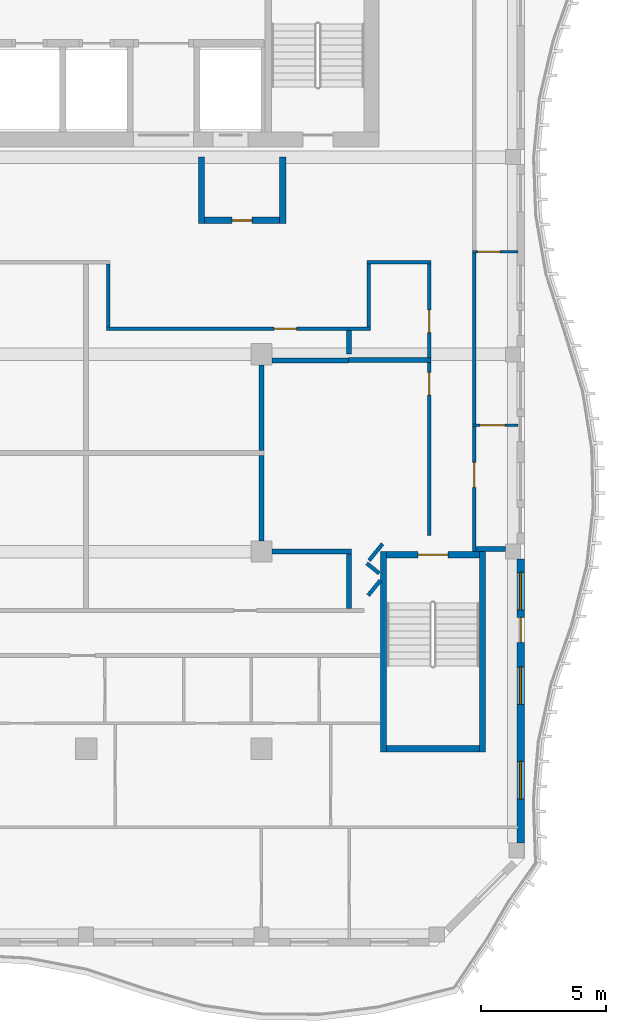
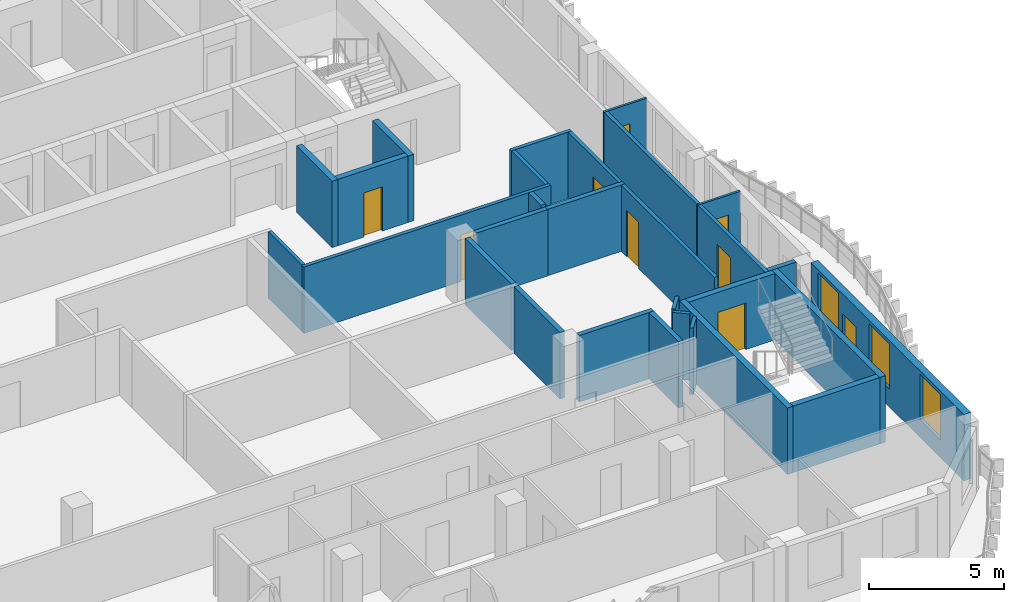
# One storey, part 5 of 14: 29 walls, 9 doors, 3 windows, 12 openings.
"""IFC4 building model written with IfcOpenShell, lengths in metres."""

from ifc_helpers import new_model, si_unit, direction, frame, frame_2d, origin, place, context, subcontext, project, spatial, rectangle, extrude, source, transform, mapped, material, layer, layer_set, type_object, element, fill, save


model = new_model("IFC4")

# Units and contexts
model_context = context("Model", 3, precision=1e-05, world=origin(), true_north=direction((0.0, 1.0)))
body_context = subcontext(model_context, "Body", "Model", "MODEL_VIEW")
ifc_project = project(units=[si_unit("LENGTHUNIT", "METRE"), si_unit("AREAUNIT", "SQUARE_METRE"), si_unit("VOLUMEUNIT", "CUBIC_METRE"), si_unit("PLANEANGLEUNIT", "RADIAN"), si_unit("MASSUNIT", "GRAM", prefix="KILO")], contexts=[model_context])

# Site, building, storey
site_placement = place(None, origin())
site = spatial("IfcSite", under=ifc_project, at=site_placement, CompositionType="ELEMENT")
building_placement = place(site_placement, origin())
building = spatial("IfcBuilding", under=site, at=building_placement, Name="Kilnfold Tower and Market Hall", CompositionType="ELEMENT")
storey_placement = place(building_placement, frame((0.0, 0.0, 315.39990234375)))
storey = spatial("IfcBuildingStorey", under=building, at=storey_placement, Name="L79", CompositionType="ELEMENT", Elevation=315.39990234375)

# Wall, opening, door
ifc_material_1 = material(Name="Gypsum board on steel studs", Category="steel")
ifc_layer_1 = layer(ifc_material_1, 0.14990234375)
ifc_layer_set_1 = layer_set([ifc_layer_1], Name="Gypsum board on steel studs")
wall_type_1 = type_object("IfcWallType", Name="WALL CORRIDOR 150", PredefinedType="PARTITIONING", material=ifc_layer_set_1)
wall_1_placement = place(storey_placement, frame((21.5, -7.75, 0.0), z_axis=(0.0, 0.0, 1.0), x_axis=(0.0, 1.0, 0.0)))
wall_1 = element("IfcWall", 1, at=wall_1_placement, inside=storey, type_object=wall_type_1, Name="Partition LY47.5", PredefinedType="PARTITIONING", context=body_context, shape_type="SweptSolid", body=[
    extrude(rectangle(XDim=4.9990234375, YDim=0.14990234375, at=frame_2d((2.49951171875, 0.0))), origin(), (0.0, 0.0, 1.0), 3.0),
])
opening_1_placement = place(wall_1_placement, frame((2.56494140625, 0.0, 0.0)))
opening_1 = element("IfcOpeningElement", 2, at=opening_1_placement, cuts=wall_1, Name="Opening D1", PredefinedType="OPENING", context=body_context, shape_type="SweptSolid", body=[
    extrude(rectangle(XDim=1.0, YDim=2.10009765625, at=frame_2d((0.5, 1.050048828125))), frame((0.0, 0.0849609375, 0.0), z_axis=(0.0, -1.0, 0.0), x_axis=(1.0, 0.0, 0.0)), (0.0, 0.0, 1.0), 0.169921875),
])
ifc_material_2 = material(Name="Timber veneer door leaf in steel frame", Category="steel")
door_type_1 = type_object("IfcDoorType", Name="DOOR ENTRY 1000 X2100", OperationType="NOTDEFINED", PredefinedType="DOOR", material=ifc_material_2)
door_1_placement = place(opening_1_placement, origin())
door_1 = element("IfcDoor", 3, at=door_1_placement, inside=storey, type_object=door_type_1, Name="Door D1", OperationType="SINGLE_SWING_RIGHT", OverallHeight=2.10009765625, OverallWidth=1.0, PredefinedType="DOOR", context=body_context, shape_type="SweptSolid", body=[
    extrude(rectangle(XDim=1.0, YDim=2.10009765625, at=frame_2d((0.5, 1.050048828125))), frame((0.0, 0.02490234375, 0.0), z_axis=(0.0, -1.0, 0.0), x_axis=(1.0, 0.0, 0.0)), (0.0, 0.0, 1.0), 0.050048828125),
])
fill(opening_1, door_1)

# Wall
wall_2_placement = place(storey_placement, frame((21.5, -2.6708984375, 0.0), z_axis=(0.0, 0.0, 1.0), x_axis=(0.0, 1.0, 0.0)))
element("IfcWall", 4, at=wall_2_placement, inside=storey, type_object=wall_type_1, Name="Partition LY47.6", PredefinedType="PARTITIONING", context=body_context, shape_type="SweptSolid", body=[
    extrude(rectangle(XDim=6.848876953125, YDim=0.14990234375, at=frame_2d((3.42431640625, 0.0))), origin(), (0.0, 0.0, 1.0), 3.0),
])

# Wall, opening, door
wall_3_placement = place(storey_placement, frame((6.804931640625, 1.14990234375, 0.0), z_axis=(0.0, 0.0, 1.0), x_axis=(1.0, 0.0, 0.0)))
wall_3 = element("IfcWall", 5, at=wall_3_placement, inside=storey, type_object=wall_type_1, Name="Partition LY47.17", PredefinedType="PARTITIONING", context=body_context, shape_type="SweptSolid", body=[
    extrude(rectangle(XDim=10.550048828125, YDim=0.14990234375, at=frame_2d((5.27490234375, 0.0))), origin(), (0.0, 0.0, 1.0), 3.0),
])
opening_2_placement = place(wall_3_placement, frame((6.7041015625, 0.0, 0.0)))
opening_2 = element("IfcOpeningElement", 6, at=opening_2_placement, cuts=wall_3, Name="Opening D2", PredefinedType="OPENING", context=body_context, shape_type="SweptSolid", body=[
    extrude(rectangle(XDim=0.89990234375, YDim=2.10009765625, at=frame_2d((0.449951171875, 1.050048828125))), frame((0.0, 0.0849609375, 0.0), z_axis=(0.0, -1.0, 0.0), x_axis=(1.0, 0.0, 0.0)), (0.0, 0.0, 1.0), 0.169921875),
])
ifc_material_3 = material(Name="Timber veneer door leaf in steel frame", Category="steel")
door_type_2 = type_object("IfcDoorType", Name="DOOR ROOM 900 X2100", OperationType="NOTDEFINED", PredefinedType="DOOR", material=ifc_material_3)
door_2_placement = place(opening_2_placement, origin())
door_2 = element("IfcDoor", 7, at=door_2_placement, inside=storey, type_object=door_type_2, Name="Door D2", OperationType="SINGLE_SWING_RIGHT", OverallHeight=2.10009765625, OverallWidth=0.89990234375, PredefinedType="DOOR", context=body_context, shape_type="SweptSolid", body=[
    extrude(rectangle(XDim=0.89990234375, YDim=2.10009765625, at=frame_2d((0.449951171875, 1.050048828125))), frame((0.0, 0.02490234375, 0.0), z_axis=(0.0, -1.0, 0.0), x_axis=(1.0, 0.0, 0.0)), (0.0, 0.0, 1.0), 0.050048828125),
])
fill(opening_2, door_2)

# Walls
wall_4_placement = place(storey_placement, frame((6.8798828125, 3.72509765625, 0.0), z_axis=(0.0, 0.0, 1.0), x_axis=(0.0, -1.0, 0.0)))
element("IfcWall", 8, at=wall_4_placement, inside=storey, type_object=wall_type_1, Name="Partition LY47.18", PredefinedType="PARTITIONING", context=body_context, shape_type="SweptSolid", body=[
    extrude(rectangle(XDim=2.5, YDim=0.14990234375, at=frame_2d((1.25, 0.0))), origin(), (0.0, 0.0, 1.0), 3.0),
])
wall_5_placement = place(storey_placement, frame((17.748046875, -8.902099609375, 0.0), z_axis=(0.0, 0.0, 1.0), x_axis=(-0.630342797145, -0.776316918589, 0.0)))
element("IfcWall", 9, at=wall_5_placement, inside=storey, type_object=wall_type_1, Name="Partition LY47.19", PredefinedType="PARTITIONING", context=body_context, shape_type="SweptSolid", body=[
    extrude(rectangle(XDim=0.772705078125, YDim=0.14990234375, at=frame_2d((0.38623046875, 0.0))), origin(), (0.0, 0.0, 1.0), 3.0),
])
wall_6_placement = place(storey_placement, frame((17.2060546875, -8.218017578125, 0.0), z_axis=(0.0, 0.0, 1.0), x_axis=(0.776102288291, -0.630607039376, 0.0)))
element("IfcWall", 10, at=wall_6_placement, inside=storey, type_object=wall_type_1, Name="Partition LY47.20", PredefinedType="PARTITIONING", context=body_context, shape_type="SweptSolid", body=[
    extrude(rectangle(XDim=0.6376953125, YDim=0.14990234375, at=frame_2d((0.31884765625, 0.0))), origin(), (0.0, 0.0, 1.0), 3.0),
])
wall_7_placement = place(storey_placement, frame((17.8349609375, -7.44189453125, 0.0), z_axis=(0.0, 0.0, 1.0), x_axis=(-0.628859024249, -0.777519342281, 0.0)))
element("IfcWall", 11, at=wall_7_placement, inside=storey, type_object=wall_type_1, Name="Partition LY47.21", PredefinedType="PARTITIONING", context=body_context, shape_type="SweptSolid", body=[
    extrude(rectangle(XDim=0.84912109375, YDim=0.14990234375, at=frame_2d((0.424560546875, 0.0))), origin(), (0.0, 0.0, 1.0), 3.0),
])

# Wall, opening, door
wall_8_placement = place(storey_placement, frame((19.699951171875, -7.10009765625, 0.0), z_axis=(0.0, 0.0, 1.0), x_axis=(0.0, 1.0, 0.0)))
wall_8 = element("IfcWall", 12, at=wall_8_placement, inside=storey, type_object=wall_type_1, Name="Partition LY47.22", PredefinedType="PARTITIONING", context=body_context, shape_type="SweptSolid", body=[
    extrude(rectangle(XDim=6.901123046875, YDim=0.14990234375, at=frame_2d((3.45068359375, 0.0))), origin(), (0.0, 0.0, 1.0), 3.0),
])
opening_3_placement = place(wall_8_placement, frame((5.60107421875, 0.0, 0.0)))
opening_3 = element("IfcOpeningElement", 13, at=opening_3_placement, cuts=wall_8, Name="Opening D2", PredefinedType="OPENING", context=body_context, shape_type="SweptSolid", body=[
    extrude(rectangle(XDim=0.89990234375, YDim=2.10009765625, at=frame_2d((0.449951171875, 1.050048828125))), frame((0.0, 0.0849609375, 0.0), z_axis=(0.0, -1.0, 0.0), x_axis=(1.0, 0.0, 0.0)), (0.0, 0.0, 1.0), 0.169921875),
])
door_3_placement = place(opening_3_placement, origin())
door_3 = element("IfcDoor", 14, at=door_3_placement, inside=storey, type_object=door_type_2, Name="Door D2", OperationType="SINGLE_SWING_LEFT", OverallHeight=2.10009765625, OverallWidth=0.89990234375, PredefinedType="DOOR", context=body_context, shape_type="SweptSolid", body=[
    extrude(rectangle(XDim=0.89990234375, YDim=2.10009765625, at=frame_2d((0.449951171875, 1.050048828125))), frame((0.0, 0.02490234375, 0.0), z_axis=(0.0, -1.0, 0.0), x_axis=(1.0, 0.0, 0.0)), (0.0, 0.0, 1.0), 0.050048828125),
])
fill(opening_3, door_3)

wall_9_placement = place(storey_placement, frame((19.699951171875, -0.028076171875, 0.0), z_axis=(0.0, 0.0, 1.0), x_axis=(0.0, 1.0, 0.0)))
wall_9 = element("IfcWall", 15, at=wall_9_placement, inside=storey, type_object=wall_type_1, Name="Partition LY47.23", PredefinedType="PARTITIONING", context=body_context, shape_type="SweptSolid", body=[
    extrude(rectangle(XDim=3.753173828125, YDim=0.14990234375, at=frame_2d((1.87646484375, 0.0))), origin(), (0.0, 0.0, 1.0), 3.0),
])
opening_4_placement = place(wall_9_placement, frame((1.01806640625, 0.0, 0.0)))
opening_4 = element("IfcOpeningElement", 16, at=opening_4_placement, cuts=wall_9, Name="Opening D2", PredefinedType="OPENING", context=body_context, shape_type="SweptSolid", body=[
    extrude(rectangle(XDim=0.89990234375, YDim=2.10009765625, at=frame_2d((0.449951171875, 1.050048828125))), frame((0.0, 0.0849609375, 0.0), z_axis=(0.0, -1.0, 0.0), x_axis=(1.0, 0.0, 0.0)), (0.0, 0.0, 1.0), 0.169921875),
])
door_4_placement = place(opening_4_placement, origin())
door_4 = element("IfcDoor", 17, at=door_4_placement, inside=storey, type_object=door_type_2, Name="Door D2", OperationType="SINGLE_SWING_LEFT", OverallHeight=2.10009765625, OverallWidth=0.89990234375, PredefinedType="DOOR", context=body_context, shape_type="SweptSolid", body=[
    extrude(rectangle(XDim=0.89990234375, YDim=2.10009765625, at=frame_2d((0.449951171875, 1.050048828125))), frame((0.0, 0.02490234375, 0.0), z_axis=(0.0, -1.0, 0.0), x_axis=(1.0, 0.0, 0.0)), (0.0, 0.0, 1.0), 0.050048828125),
])
fill(opening_4, door_4)

# Walls
wall_10_placement = place(storey_placement, frame((17.205078125, 3.800048828125, 0.0), z_axis=(0.0, 0.0, 1.0), x_axis=(1.0, 0.0, 0.0)))
element("IfcWall", 18, at=wall_10_placement, inside=storey, type_object=wall_type_1, Name="Partition LY47.24", PredefinedType="PARTITIONING", context=body_context, shape_type="SweptSolid", body=[
    extrude(rectangle(XDim=2.56982421875, YDim=0.14990234375, at=frame_2d((1.284912109375, 0.0))), origin(), (0.0, 0.0, 1.0), 3.0),
])
wall_11_placement = place(storey_placement, frame((17.280029296875, 1.22509765625, 0.0), z_axis=(0.0, 0.0, 1.0), x_axis=(0.0, 1.0, 0.0)))
element("IfcWall", 19, at=wall_11_placement, inside=storey, type_object=wall_type_1, Name="Partition LY47.25", PredefinedType="PARTITIONING", context=body_context, shape_type="SweptSolid", body=[
    extrude(rectangle(XDim=2.5, YDim=0.14990234375, at=frame_2d((1.25, 0.0))), origin(), (0.0, 0.0, 1.0), 3.0),
])

# Wall, opening, door
ifc_material_4 = material(Name="Gypsum board on steel studs", Category="steel")
ifc_layer_2 = layer(ifc_material_4, 0.10009765625)
ifc_layer_set_2 = layer_set([ifc_layer_2], Name="Gypsum board on steel studs")
wall_type_2 = type_object("IfcWallType", Name="WALL PARTITION 100", PredefinedType="PARTITIONING", material=ifc_layer_set_2)
wall_12_placement = place(storey_placement, frame((23.25, -2.7109375, 0.0), z_axis=(0.0, 0.0, 1.0), x_axis=(-1.0, 0.0, 0.0)))
wall_12 = element("IfcWall", 20, at=wall_12_placement, inside=storey, type_object=wall_type_2, Name="Partition LY47.66", PredefinedType="PARTITIONING", context=body_context, shape_type="SweptSolid", body=[
    extrude(rectangle(XDim=1.822998046875, YDim=0.10009765625, at=frame_2d((0.91162109375, 0.0))), origin(), (0.0, 0.0, 1.0), 3.0),
])
opening_5_placement = place(wall_12_placement, frame((0.51708984375, 0.0, 0.0)))
opening_5 = element("IfcOpeningElement", 21, at=opening_5_placement, cuts=wall_12, Name="Opening D1", PredefinedType="OPENING", context=body_context, shape_type="SweptSolid", body=[
    extrude(rectangle(XDim=1.0, YDim=2.10009765625, at=frame_2d((0.5, 1.050048828125))), frame((0.0, 0.06005859375, 0.0), z_axis=(0.0, -1.0, 0.0), x_axis=(1.0, 0.0, 0.0)), (0.0, 0.0, 1.0), 0.1201171875),
])
door_5_placement = place(opening_5_placement, origin())
door_5 = element("IfcDoor", 22, at=door_5_placement, inside=storey, type_object=door_type_1, Name="Door D1", OperationType="SINGLE_SWING_RIGHT", OverallHeight=2.10009765625, OverallWidth=1.0, PredefinedType="DOOR", context=body_context, shape_type="SweptSolid", body=[
    extrude(rectangle(XDim=1.0, YDim=2.10009765625, at=frame_2d((0.5, 1.050048828125))), frame((0.0, 0.02490234375, 0.0), z_axis=(0.0, -1.0, 0.0), x_axis=(1.0, 0.0, 0.0)), (0.0, 0.0, 1.0), 0.050048828125),
])
fill(opening_5, door_5)

wall_13_placement = place(storey_placement, frame((23.25, 4.218017578125, 0.0), z_axis=(0.0, 0.0, 1.0), x_axis=(-1.0, 0.0, 0.0)))
wall_13 = element("IfcWall", 23, at=wall_13_placement, inside=storey, type_object=wall_type_2, Name="Partition LY47.67", PredefinedType="PARTITIONING", context=body_context, shape_type="SweptSolid", body=[
    extrude(rectangle(XDim=1.822998046875, YDim=0.10009765625, at=frame_2d((0.91162109375, 0.0))), origin(), (0.0, 0.0, 1.0), 3.0),
])
opening_6_placement = place(wall_13_placement, frame((0.722900390625, 0.0, 0.0)))
opening_6 = element("IfcOpeningElement", 24, at=opening_6_placement, cuts=wall_13, Name="Opening D2", PredefinedType="OPENING", context=body_context, shape_type="SweptSolid", body=[
    extrude(rectangle(XDim=0.89990234375, YDim=2.10009765625, at=frame_2d((0.449951171875, 1.050048828125))), frame((0.0, 0.06005859375, 0.0), z_axis=(0.0, -1.0, 0.0), x_axis=(1.0, 0.0, 0.0)), (0.0, 0.0, 1.0), 0.1201171875),
])
door_6_placement = place(opening_6_placement, origin())
door_6 = element("IfcDoor", 25, at=door_6_placement, inside=storey, type_object=door_type_2, Name="Door D2", OperationType="SINGLE_SWING_RIGHT", OverallHeight=2.10009765625, OverallWidth=0.89990234375, PredefinedType="DOOR", context=body_context, shape_type="SweptSolid", body=[
    extrude(rectangle(XDim=0.89990234375, YDim=2.10009765625, at=frame_2d((0.449951171875, 1.050048828125))), frame((0.0, 0.02490234375, 0.0), z_axis=(0.0, -1.0, 0.0), x_axis=(1.0, 0.0, 0.0)), (0.0, 0.0, 1.0), 0.050048828125),
])
fill(opening_6, door_6)

# Walls
ifc_material_5 = material(Name="Gypsum board on steel studs", Category="steel")
ifc_layer_3 = layer(ifc_material_5, 0.199951171875)
ifc_layer_set_3 = layer_set([ifc_layer_3], Name="Gypsum board on steel studs")
wall_type_3 = type_object("IfcWallType", Name="WALL PARTY 200", PredefinedType="PARTITIONING", material=ifc_layer_set_3)
wall_14_placement = place(storey_placement, frame((22.75, -7.64990234375, 0.0), z_axis=(0.0, 0.0, 1.0), x_axis=(-1.0, 0.0, 0.0)))
element("IfcWall", 26, at=wall_14_placement, inside=storey, type_object=wall_type_3, Name="Partition LY47.56", PredefinedType="PARTITIONING", context=body_context, shape_type="SweptSolid", body=[
    extrude(rectangle(XDim=1.175048828125, YDim=0.199951171875, at=frame_2d((0.58740234375, 0.0))), origin(), (0.0, 0.0, 1.0), 3.0),
])
wall_15_placement = place(storey_placement, frame((13.0, -7.324951171875, 0.0), z_axis=(0.0, 0.0, 1.0), x_axis=(0.0, 1.0, 0.0)))
element("IfcWall", 27, at=wall_15_placement, inside=storey, type_object=wall_type_3, Name="Partition LY47.77", PredefinedType="PARTITIONING", context=body_context, shape_type="SweptSolid", body=[
    extrude(rectangle(XDim=3.412841796875, YDim=0.199951171875, at=frame_2d((1.70654296875, 0.0))), origin(), (0.0, 0.0, 1.0), 3.0),
])
wall_16_placement = place(storey_placement, frame((16.60009765625, -7.75, 0.0), z_axis=(0.0, 0.0, 1.0), x_axis=(-1.0, 0.0, 0.0)))
element("IfcWall", 28, at=wall_16_placement, inside=storey, type_object=wall_type_3, Name="Partition LY47.78", PredefinedType="PARTITIONING", context=body_context, shape_type="SweptSolid", body=[
    extrude(rectangle(XDim=3.175048828125, YDim=0.199951171875, at=frame_2d((1.58740234375, 0.0))), origin(), (0.0, 0.0, 1.0), 3.0),
])
wall_17_placement = place(storey_placement, frame((16.5, -10.02294921875, 0.0), z_axis=(0.0, 0.0, 1.0), x_axis=(0.0, 1.0, 0.0)))
element("IfcWall", 29, at=wall_17_placement, inside=storey, type_object=wall_type_3, Name="Partition LY47.79", PredefinedType="PARTITIONING", context=body_context, shape_type="SweptSolid", body=[
    extrude(rectangle(XDim=2.1728515625, YDim=0.199951171875, at=frame_2d((1.08642578125, 0.0))), origin(), (0.0, 0.0, 1.0), 3.0),
])
wall_18_placement = place(storey_placement, frame((13.425048828125, -0.117919921875, 0.0), z_axis=(0.0, 0.0, 1.0), x_axis=(1.0, 0.0, 0.0)))
element("IfcWall", 30, at=wall_18_placement, inside=storey, type_object=wall_type_3, Name="Partition LY47.80", PredefinedType="PARTITIONING", context=body_context, shape_type="SweptSolid", body=[
    extrude(rectangle(XDim=3.053955078125, YDim=0.199951171875, at=frame_2d((1.52685546875, 0.0))), origin(), (0.0, 0.0, 1.0), 3.0),
])
wall_19_placement = place(storey_placement, frame((13.0, -3.7119140625, 0.0), z_axis=(0.0, 0.0, 1.0), x_axis=(0.0, 1.0, 0.0)))
element("IfcWall", 31, at=wall_19_placement, inside=storey, type_object=wall_type_3, Name="Partition LY47.81", PredefinedType="PARTITIONING", context=body_context, shape_type="SweptSolid", body=[
    extrude(rectangle(XDim=3.411865234375, YDim=0.199951171875, at=frame_2d((1.7060546875, 0.0))), origin(), (0.0, 0.0, 1.0), 3.0),
])
wall_20_placement = place(storey_placement, frame((16.5, 0.135986328125, 0.0), z_axis=(0.0, 0.0, 1.0), x_axis=(0.0, 1.0, 0.0)))
element("IfcWall", 32, at=wall_20_placement, inside=storey, type_object=wall_type_3, Name="Partition LY47.82", PredefinedType="PARTITIONING", context=body_context, shape_type="SweptSolid", body=[
    extrude(rectangle(XDim=0.93701171875, YDim=0.199951171875, at=frame_2d((0.468505859375, 0.0))), origin(), (0.0, 0.0, 1.0), 3.0),
])
wall_21_placement = place(storey_placement, frame((19.77294921875, -0.10888671875, 0.0), z_axis=(0.0, 0.0, 1.0), x_axis=(-1.0, 0.0, 0.0)))
element("IfcWall", 33, at=wall_21_placement, inside=storey, type_object=wall_type_3, Name="Partition LY47.83", PredefinedType="PARTITIONING", context=body_context, shape_type="SweptSolid", body=[
    extrude(rectangle(XDim=3.2939453125, YDim=0.199951171875, at=frame_2d((1.64697265625, 0.0))), origin(), (0.0, 0.0, 1.0), 3.0),
])
ifc_material_6 = material(Name="Concrete C50", Category="concrete")
ifc_layer_4 = layer(ifc_material_6, 0.25)
ifc_layer_set_4 = layer_set([ifc_layer_4], Name="Concrete C50")
wall_type_4 = type_object("IfcWallType", Name="CORE WALL 250 C50", PredefinedType="SHEAR", material=ifc_layer_set_4)
shared_shape_1 = source(origin(), body_context, "Body", "SweptSolid", [
    extrude(rectangle(XDim=3.699951171875, YDim=0.25, at=frame_2d((1.85009765625, 0.0))), origin(), (0.0, 0.0, 1.0), 3.0),
])
wall_22_placement = place(storey_placement, frame((18.0, -15.625, 0.0), z_axis=(0.0, 0.0, 1.0), x_axis=(1.0, 0.0, 0.0)))
element("IfcWall", 34, at=wall_22_placement, inside=storey, type_object=wall_type_4, Name="Stair enclosure ST4", PredefinedType="SHEAR", context=body_context, shape_type="MappedRepresentation", body=[
    mapped(shared_shape_1, transform((0.0, 0.0, 0.0))),
])

# Wall, opening, door
wall_23_placement = place(storey_placement, frame((18.0, -7.875, 0.0), z_axis=(0.0, 0.0, 1.0), x_axis=(1.0, 0.0, 0.0)))
wall_23 = element("IfcWall", 35, at=wall_23_placement, inside=storey, type_object=wall_type_4, Name="Stair enclosure ST4", PredefinedType="SHEAR", context=body_context, shape_type="MappedRepresentation", body=[
    mapped(shared_shape_1, transform((0.0, 0.0, 0.0))),
])
opening_7_placement = place(wall_23_placement, frame((1.25, 0.0, 0.0)))
opening_7 = element("IfcOpeningElement", 36, at=opening_7_placement, cuts=wall_23, Name="Opening SD1", PredefinedType="OPENING", context=body_context, shape_type="SweptSolid", body=[
    extrude(rectangle(XDim=1.199951171875, YDim=2.10009765625, at=frame_2d((0.60009765625, 1.050048828125))), frame((0.0, 0.135009765625, 0.0), z_axis=(0.0, -1.0, 0.0), x_axis=(1.0, 0.0, 0.0)), (0.0, 0.0, 1.0), 0.27001953125),
])
ifc_material_7 = material(Name="Steel door set with fire-resisting leaf", Category="steel")
door_type_3 = type_object("IfcDoorType", Name="STAIR FLOOR DOOR 1200X2100", OperationType="NOTDEFINED", PredefinedType="DOOR", material=ifc_material_7)
door_7_placement = place(opening_7_placement, origin())
door_7 = element("IfcDoor", 37, at=door_7_placement, inside=storey, type_object=door_type_3, Name="Exit stair ST4 door", OperationType="DOUBLE_DOOR_SINGLE_SWING", OverallHeight=2.10009765625, OverallWidth=1.199951171875, PredefinedType="DOOR", context=body_context, shape_type="SweptSolid", body=[
    extrude(rectangle(XDim=1.199951171875, YDim=2.10009765625, at=frame_2d((0.60009765625, 1.050048828125))), frame((0.0, 0.02490234375, 0.0), z_axis=(0.0, -1.0, 0.0), x_axis=(1.0, 0.0, 0.0)), (0.0, 0.0, 1.0), 0.050048828125),
])
fill(opening_7, door_7)

# Walls
shared_shape_2 = source(origin(), body_context, "Body", "SweptSolid", [
    extrude(rectangle(XDim=8.0, YDim=0.25, at=frame_2d((4.0, 0.0))), origin(), (0.0, 0.0, 1.0), 3.0),
])
for number, where, z_axis, x_axis, name in (
    (38, (17.875, -15.75, 0.0), (0.0, 0.0, 1.0), (0.0, 1.0, 0.0), "Stair enclosure ST4"),
    (39, (21.824951171875, -15.75, 0.0), (0.0, 0.0, 1.0), (0.0, 1.0, 0.0), "Stair enclosure ST4"),
):
    element("IfcWall", number, at=place(storey_placement, frame(where, z_axis=z_axis, x_axis=x_axis)), inside=storey, type_object=wall_type_4, Name=name, PredefinedType="SHEAR", context=body_context, shape_type="MappedRepresentation", body=[
        mapped(shared_shape_2, transform((0.0, 0.0, 0.0))),
    ])

# Wall, openings, door, windows
ifc_material_8 = material(Name="Precast concrete C50/60", Category="concrete")
ifc_layer_5 = layer(ifc_material_8, 0.300048828125)
ifc_layer_set_5 = layer_set([ifc_layer_5], Name="Precast concrete C50/60")
wall_type_5 = type_object("IfcWallType", Name="PRECAST WALL 300", PredefinedType="SOLIDWALL", material=ifc_layer_set_5)
shared_shape_3 = source(origin(), body_context, "Body", "SweptSolid", [
    extrude(rectangle(XDim=11.331787109375, YDim=0.300048828125, at=frame_2d((5.666015625, 0.0))), origin(), (0.0, 0.0, 1.0), 3.0),
])
wall_24_placement = place(storey_placement, frame((23.35009765625, -19.3818359375, 0.0), z_axis=(0.0, 0.0, 1.0), x_axis=(0.0, 1.0, 0.0)))
wall_24 = element("IfcWall", 40, at=wall_24_placement, inside=storey, type_object=wall_type_5, Name="External wall L79 E", PredefinedType="SOLIDWALL", context=body_context, shape_type="MappedRepresentation", body=[
    mapped(shared_shape_3, transform((0.0, 0.0, 0.0))),
])
opening_8_placement = place(wall_24_placement, frame((1.75, 0.0, 0.800048828125)))
opening_8 = element("IfcOpeningElement", 41, at=opening_8_placement, cuts=wall_24, Name="Opening W5", PredefinedType="OPENING", context=body_context, shape_type="SweptSolid", body=[
    extrude(rectangle(XDim=1.5, YDim=2.050048828125, at=frame_2d((0.75, 1.02490234375))), frame((0.0, 0.16015625, 0.0), z_axis=(0.0, -1.0, 0.0), x_axis=(1.0, 0.0, 0.0)), (0.0, 0.0, 1.0), 0.320068359375),
])
opening_9_placement = place(wall_24_placement, frame((5.52734375, 0.0, 0.800048828125)))
opening_9 = element("IfcOpeningElement", 42, at=opening_9_placement, cuts=wall_24, Name="Opening W5", PredefinedType="OPENING", context=body_context, shape_type="SweptSolid", body=[
    extrude(rectangle(XDim=1.5, YDim=2.050048828125, at=frame_2d((0.75, 1.02490234375))), frame((0.0, 0.16015625, 0.0), z_axis=(0.0, -1.0, 0.0), x_axis=(1.0, 0.0, 0.0)), (0.0, 0.0, 1.0), 0.320068359375),
])
opening_10_placement = place(wall_24_placement, frame((9.304443359375, 0.0, 0.800048828125)))
opening_10 = element("IfcOpeningElement", 43, at=opening_10_placement, cuts=wall_24, Name="Opening W5", PredefinedType="OPENING", context=body_context, shape_type="SweptSolid", body=[
    extrude(rectangle(XDim=1.5, YDim=2.050048828125, at=frame_2d((0.75, 1.02490234375))), frame((0.0, 0.16015625, 0.0), z_axis=(0.0, -1.0, 0.0), x_axis=(1.0, 0.0, 0.0)), (0.0, 0.0, 1.0), 0.320068359375),
])
opening_11_placement = place(wall_24_placement, frame((8.00439453125, 0.0, 0.0)))
opening_11 = element("IfcOpeningElement", 44, at=opening_11_placement, cuts=wall_24, Name="Opening BD1", PredefinedType="OPENING", context=body_context, shape_type="SweptSolid", body=[
    extrude(rectangle(XDim=1.0, YDim=2.10009765625, at=frame_2d((0.5, 1.050048828125))), frame((0.0, 0.16015625, 0.0), z_axis=(0.0, -1.0, 0.0), x_axis=(1.0, 0.0, 0.0)), (0.0, 0.0, 1.0), 0.320068359375),
])
ifc_material_9 = material(Name="Aluminium frame and double glazing", Category="aluminium")
door_type_4 = type_object("IfcDoorType", Name="BALCONY DOOR 1000X2100", OperationType="NOTDEFINED", PredefinedType="DOOR", material=ifc_material_9)
door_8_placement = place(opening_11_placement, origin())
door_8 = element("IfcDoor", 45, at=door_8_placement, inside=storey, type_object=door_type_4, Name="Balcony door BD1 L79 E-3", OperationType="SINGLE_SWING_LEFT", OverallHeight=2.10009765625, OverallWidth=1.0, PredefinedType="DOOR", context=body_context, shape_type="SweptSolid", body=[
    extrude(rectangle(XDim=1.0, YDim=2.10009765625, at=frame_2d((0.5, 1.050048828125))), frame((0.0, 0.02490234375, 0.0), z_axis=(0.0, -1.0, 0.0), x_axis=(1.0, 0.0, 0.0)), (0.0, 0.0, 1.0), 0.050048828125),
])
fill(opening_11, door_8)
ifc_material_10 = material(Name="Aluminium frame and double glazing", Category="aluminium")
window_type = type_object("IfcWindowType", Name="WINDOW W5 1500X2050", PartitioningType="SINGLE_PANEL", PredefinedType="WINDOW", material=ifc_material_10)
window_1_placement = place(opening_8_placement, origin())
window_1 = element("IfcWindow", 46, at=window_1_placement, inside=storey, type_object=window_type, Name="Window W5 L79 E-1", OverallHeight=2.050048828125, OverallWidth=1.5, PartitioningType="SINGLE_PANEL", PredefinedType="WINDOW", context=body_context, shape_type="SweptSolid", body=[
    extrude(rectangle(XDim=1.5, YDim=2.050048828125, at=frame_2d((0.75, 1.02490234375))), frame((0.0, 0.030029296875, 0.0), z_axis=(0.0, -1.0, 0.0), x_axis=(1.0, 0.0, 0.0)), (0.0, 0.0, 1.0), 0.06005859375),
])
fill(opening_8, window_1)
window_2_placement = place(opening_9_placement, origin())
window_2 = element("IfcWindow", 47, at=window_2_placement, inside=storey, type_object=window_type, Name="Window W5 L79 E-2", OverallHeight=2.050048828125, OverallWidth=1.5, PartitioningType="SINGLE_PANEL", PredefinedType="WINDOW", context=body_context, shape_type="SweptSolid", body=[
    extrude(rectangle(XDim=1.5, YDim=2.050048828125, at=frame_2d((0.75, 1.02490234375))), frame((0.0, 0.030029296875, 0.0), z_axis=(0.0, -1.0, 0.0), x_axis=(1.0, 0.0, 0.0)), (0.0, 0.0, 1.0), 0.06005859375),
])
fill(opening_9, window_2)
window_3_placement = place(opening_10_placement, origin())
window_3 = element("IfcWindow", 48, at=window_3_placement, inside=storey, type_object=window_type, Name="Window W5 L79 E-3", OverallHeight=2.050048828125, OverallWidth=1.5, PartitioningType="SINGLE_PANEL", PredefinedType="WINDOW", context=body_context, shape_type="SweptSolid", body=[
    extrude(rectangle(XDim=1.5, YDim=2.050048828125, at=frame_2d((0.75, 1.02490234375))), frame((0.0, 0.030029296875, 0.0), z_axis=(0.0, -1.0, 0.0), x_axis=(1.0, 0.0, 0.0)), (0.0, 0.0, 1.0), 0.06005859375),
])
fill(opening_10, window_3)

# Walls
ifc_material_11 = material(Name="Gypsum shaft wall system")
ifc_layer_6 = layer(ifc_material_11, 0.25)
ifc_layer_set_6 = layer_set([ifc_layer_6], Name="Gypsum shaft wall system")
wall_type_6 = type_object("IfcWallType", Name="LOBBY WALL 250", PredefinedType="PARTITIONING", material=ifc_layer_set_6)
shared_shape_4 = source(origin(), body_context, "Body", "SweptSolid", [
    extrude(rectangle(XDim=2.64990234375, YDim=0.25, at=frame_2d((1.324951171875, 0.0))), origin(), (0.0, 0.0, 1.0), 3.0),
])
for number, where, z_axis, x_axis, name in (
    (49, (10.60498046875, 5.35009765625, 0.0), (0.0, 0.0, 1.0), (0.0, 1.0, 0.0), "Firefighting lobby wall"),
    (50, (13.85498046875, 5.35009765625, 0.0), (0.0, 0.0, 1.0), (0.0, 1.0, 0.0), "Firefighting lobby wall"),
):
    element("IfcWall", number, at=place(storey_placement, frame(where, z_axis=z_axis, x_axis=x_axis)), inside=storey, type_object=wall_type_6, Name=name, PredefinedType="PARTITIONING", context=body_context, shape_type="MappedRepresentation", body=[
        mapped(shared_shape_4, transform((0.0, 0.0, 0.0))),
    ])

# Wall, opening, door
shared_shape_5 = source(origin(), body_context, "Body", "SweptSolid", [
    extrude(rectangle(XDim=3.0, YDim=0.25, at=frame_2d((1.5, 0.0))), origin(), (0.0, 0.0, 1.0), 3.0),
])
wall_25_placement = place(storey_placement, frame((10.72998046875, 5.47509765625, 0.0), z_axis=(0.0, 0.0, 1.0), x_axis=(1.0, 0.0, 0.0)))
wall_25 = element("IfcWall", 51, at=wall_25_placement, inside=storey, type_object=wall_type_6, Name="Firefighting lobby wall", PredefinedType="PARTITIONING", context=body_context, shape_type="MappedRepresentation", body=[
    mapped(shared_shape_5, transform((0.0, 0.0, 0.0))),
])
opening_12_placement = place(wall_25_placement, frame((1.10009765625, 0.0, 0.0)))
opening_12 = element("IfcOpeningElement", 52, at=opening_12_placement, cuts=wall_25, Name="Opening VD1", PredefinedType="OPENING", context=body_context, shape_type="SweptSolid", body=[
    extrude(rectangle(XDim=0.800048828125, YDim=2.0, at=frame_2d((0.39990234375, 1.0))), frame((0.0, 0.135009765625, 0.0), z_axis=(0.0, -1.0, 0.0), x_axis=(1.0, 0.0, 0.0)), (0.0, 0.0, 1.0), 0.27001953125),
])
ifc_material_12 = material(Name="Steel door set with fire-resisting leaf", Category="steel")
door_type_5 = type_object("IfcDoorType", Name="FIREFIGHTING LOBBY DOOR 800X2000", OperationType="NOTDEFINED", PredefinedType="DOOR", material=ifc_material_12)
door_9_placement = place(opening_12_placement, origin())
door_9 = element("IfcDoor", 53, at=door_9_placement, inside=storey, type_object=door_type_5, Name="Firefighting lobby door", OperationType="SINGLE_SWING_RIGHT", OverallHeight=2.0, OverallWidth=0.800048828125, PredefinedType="DOOR", context=body_context, shape_type="SweptSolid", body=[
    extrude(rectangle(XDim=0.800048828125, YDim=2.0, at=frame_2d((0.39990234375, 1.0))), frame((0.0, 0.02490234375, 0.0), z_axis=(0.0, -1.0, 0.0), x_axis=(1.0, 0.0, 0.0)), (0.0, 0.0, 1.0), 0.050048828125),
])
fill(opening_12, door_9)

save(model, "model.ifc")
